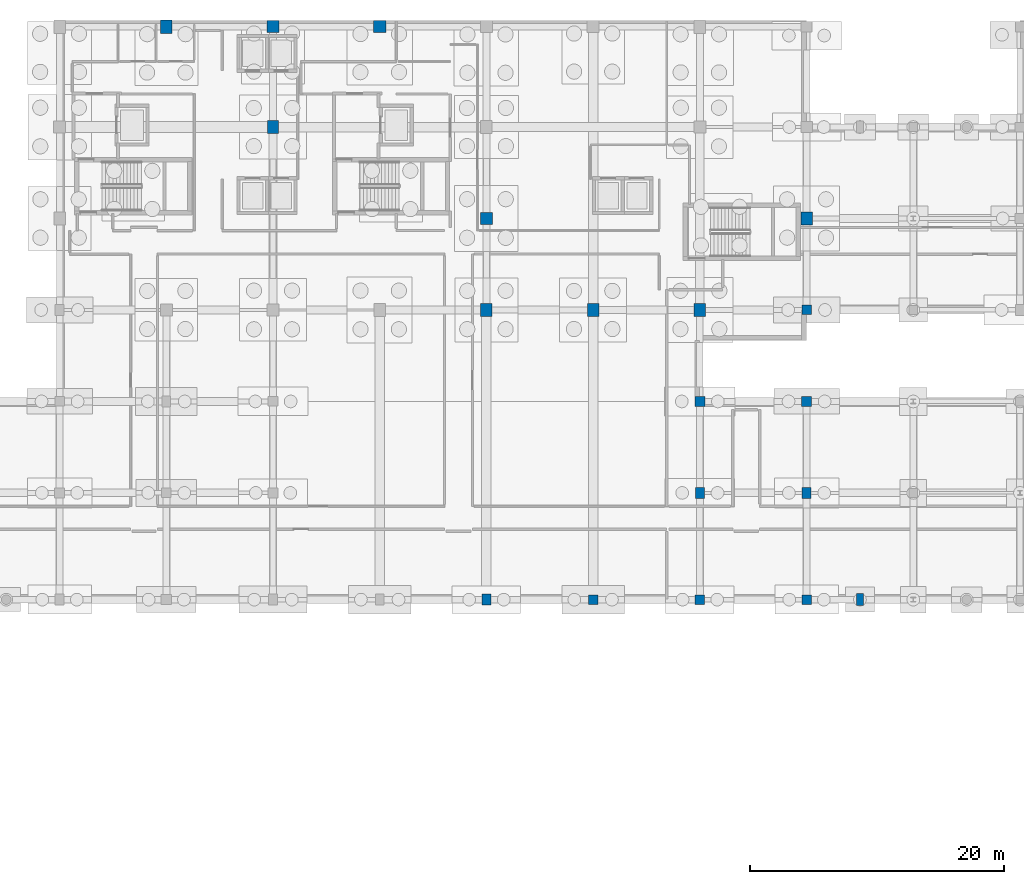
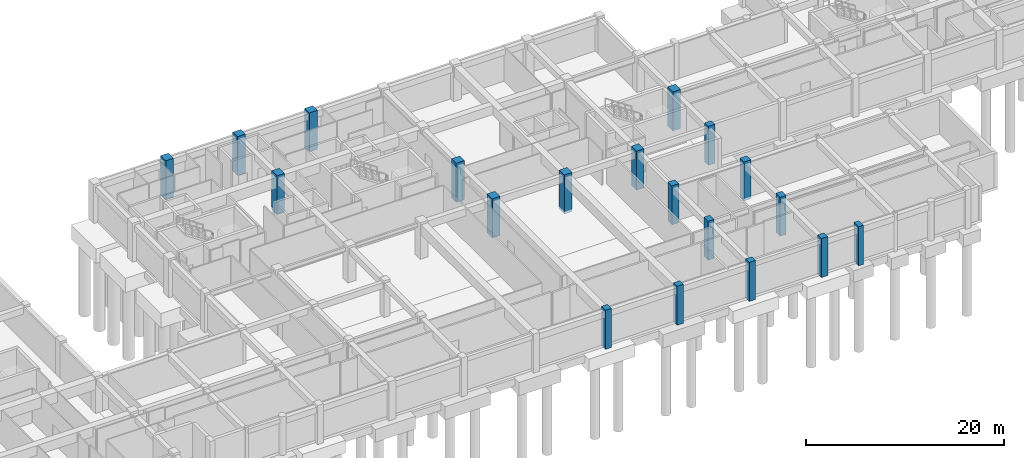
# One storey, part 15 of 42: 19 columns.
"""IFC4 building model written with IfcOpenShell, lengths in metres."""

from ifc_helpers import new_model, si_unit, direction, frame, origin, origin_2d, place, context, subcontext, project, spatial, rectangle, extrude, material, material_profile, profile_set, type_object, element, save


model = new_model("IFC4")

# Units and contexts
model_context = context("Model", 3, precision=1e-05, world=origin(), true_north=direction((0.0, 1.0)))
body_context = subcontext(model_context, "Body", "Model", "MODEL_VIEW")
ifc_project = project(units=[si_unit("LENGTHUNIT", "METRE"), si_unit("AREAUNIT", "SQUARE_METRE"), si_unit("VOLUMEUNIT", "CUBIC_METRE"), si_unit("PLANEANGLEUNIT", "RADIAN"), si_unit("MASSUNIT", "GRAM", prefix="KILO")], contexts=[model_context])

# Site, building, storey
site_placement = place(None, origin())
site = spatial("IfcSite", under=ifc_project, at=site_placement, CompositionType="ELEMENT")
building_placement = place(site_placement, origin())
building = spatial("IfcBuilding", under=site, at=building_placement, Name="Quendrovan Civic Courthouse", CompositionType="ELEMENT")
storey_placement = place(building_placement, frame((0.0, 0.0, -4.5)))
storey = spatial("IfcBuildingStorey", under=building, at=storey_placement, Name="B1", CompositionType="ELEMENT", Elevation=-4.5)

# Columns
ifc_material_1 = material(Name="Concrete C45/55", Category="concrete")
ifc_material_profile_1 = material_profile(ifc_material_1, rectangle(XDim=0.550048828125, YDim=0.949951171875, at=origin_2d()), Name="RC-PIER-550x950")
ifc_profile_set_1 = profile_set([ifc_material_profile_1], Name="Concrete C45/55")
column_type_1 = type_object("IfcColumnType", Name="COL-PIER950", PredefinedType="PILASTER", material=ifc_profile_set_1)
column_placement = place(storey_placement, frame((96.60009765625, 64.800048828125, -0.300048828125), z_axis=(0.0, 0.0, 1.0), x_axis=(1.0, 0.0, 0.0)))
element("IfcColumn", 1, at=column_placement, inside=storey, type_object=column_type_1, Name="B1 Column PIL-C3", PredefinedType="PILASTER", context=body_context, shape_type="SweptSolid", body=[
    extrude(rectangle(XDim=0.550048828125, YDim=0.949951171875, at=origin_2d()), origin(), (0.0, 0.0, 1.0), 4.800048828125),
])
ifc_material_2 = material(Name="Concrete C40/50", Category="concrete")
ifc_material_profile_2 = material_profile(ifc_material_2, rectangle(XDim=0.699951171875, YDim=0.85009765625, at=origin_2d()), Name="RC-COL-700x850")
ifc_profile_set_2 = profile_set([ifc_material_profile_2], Name="Concrete C40/50")
column_type_2 = type_object("IfcColumnType", Name="COL-RC-700x850", PredefinedType="COLUMN", material=ifc_profile_set_2)
for number, where, z_axis, x_axis, name in (
    (2, (67.199951171875, 64.800048828125, -0.300048828125), (0.0, 0.0, 1.0), (1.0, 0.0, 0.0), "B1 Column 9-J"),
    (3, (84.0, 73.199951171875, -0.300048828125), (0.0, 0.0, 1.0), (1.0, 0.0, 0.0), "B1 Column 11-K"),
    (4, (92.39990234375, 73.199951171875, -0.300048828125), (0.0, 0.0, 1.0), (1.0, 0.0, 0.0), "B1 Column 12-K"),
):
    element("IfcColumn", number, at=place(storey_placement, frame(where, z_axis=z_axis, x_axis=x_axis)), inside=storey, type_object=column_type_2, Name=name, PredefinedType="COLUMN", context=body_context, shape_type="SweptSolid", body=[
        extrude(rectangle(XDim=0.699951171875, YDim=0.85009765625, at=origin_2d()), origin(), (0.0, 0.0, 1.0), 4.800048828125),
    ])
ifc_material_profile_3 = material_profile(ifc_material_1, rectangle(XDim=0.89990234375, YDim=1.050048828125, at=origin_2d()), Name="RC-COL-900x1050")
ifc_profile_set_3 = profile_set([ifc_material_profile_3], Name="Concrete C45/55")
column_type_3 = type_object("IfcColumnType", Name="COL-RC-900x1050", PredefinedType="COLUMN", material=ifc_profile_set_3)
for number, where, z_axis, x_axis, name in (
    (5, (42.0, 109.89990234375, -0.300048828125), (0.0, 0.0, 1.0), (1.0, 0.0, 0.0), "B1 Column 6-Q"),
    (6, (50.39990234375, 102.0, -0.300048828125), (0.0, 0.0, 1.0), (1.0, 0.0, 0.0), "B1 Column 7-P"),
    (7, (67.199951171875, 87.60009765625, -0.300048828125), (0.0, 0.0, 1.0), (1.0, 0.0, 0.0), "B1 Column 9-M"),
    (8, (75.60009765625, 87.60009765625, -0.300048828125), (0.0, 0.0, 1.0), (1.0, 0.0, 0.0), "B1 Column 10-M"),
    (9, (84.0, 87.60009765625, -0.300048828125), (0.0, 0.0, 1.0), (1.0, 0.0, 0.0), "B1 Column 11-M"),
    (10, (92.39990234375, 94.800048828125, -0.300048828125), (0.0, 0.0, 1.0), (1.0, 0.0, 0.0), "B1 Column 12-N"),
):
    element("IfcColumn", number, at=place(storey_placement, frame(where, z_axis=z_axis, x_axis=x_axis)), inside=storey, type_object=column_type_3, Name=name, PredefinedType="COLUMN", context=body_context, shape_type="SweptSolid", body=[
        extrude(rectangle(XDim=0.89990234375, YDim=1.050048828125, at=origin_2d()), origin(), (0.0, 0.0, 1.0), 4.800048828125),
    ])
ifc_material_profile_4 = material_profile(ifc_material_1, rectangle(XDim=0.75, YDim=0.75, at=origin_2d()), Name="RC-COL-750x750")
ifc_profile_set_4 = profile_set([ifc_material_profile_4], Name="Concrete C45/55")
column_type_4 = type_object("IfcColumnType", Name="COL-RC750", PredefinedType="COLUMN", material=ifc_profile_set_4)
for number, where, z_axis, x_axis, name in (
    (11, (75.60009765625, 64.800048828125, -0.300048828125), (0.0, 0.0, 1.0), (1.0, 0.0, 0.0), "B1 Column 10-J"),
    (12, (84.0, 64.800048828125, -0.300048828125), (0.0, 0.0, 1.0), (1.0, 0.0, 0.0), "B1 Column 11-J"),
    (13, (92.39990234375, 64.800048828125, -0.300048828125), (0.0, 0.0, 1.0), (1.0, 0.0, 0.0), "B1 Column 12-J"),
    (14, (92.39990234375, 87.60009765625, -0.300048828125), (0.0, 0.0, 1.0), (1.0, 0.0, 0.0), "B1 Column 12-M"),
):
    element("IfcColumn", number, at=place(storey_placement, frame(where, z_axis=z_axis, x_axis=x_axis)), inside=storey, type_object=column_type_4, Name=name, PredefinedType="COLUMN", context=body_context, shape_type="SweptSolid", body=[
        extrude(rectangle(XDim=0.75, YDim=0.75, at=origin_2d()), origin(), (0.0, 0.0, 1.0), 4.800048828125),
    ])
ifc_material_profile_5 = material_profile(ifc_material_1, rectangle(XDim=0.800048828125, YDim=0.800048828125, at=origin_2d()), Name="RC-COL-800x800")
ifc_profile_set_5 = profile_set([ifc_material_profile_5], Name="Concrete C45/55")
column_type_5 = type_object("IfcColumnType", Name="COL-RC800", PredefinedType="COLUMN", material=ifc_profile_set_5)
for number, where, z_axis, x_axis, name in (
    (15, (84.0, 80.39990234375, -0.300048828125), (0.0, 0.0, 1.0), (1.0, 0.0, 0.0), "B1 Column 11-L"),
    (16, (92.39990234375, 80.39990234375, -0.300048828125), (0.0, 0.0, 1.0), (1.0, 0.0, 0.0), "B1 Column 12-L"),
):
    element("IfcColumn", number, at=place(storey_placement, frame(where, z_axis=z_axis, x_axis=x_axis)), inside=storey, type_object=column_type_5, Name=name, PredefinedType="COLUMN", context=body_context, shape_type="SweptSolid", body=[
        extrude(rectangle(XDim=0.800048828125, YDim=0.800048828125, at=origin_2d()), origin(), (0.0, 0.0, 1.0), 4.800048828125),
    ])
ifc_material_profile_6 = material_profile(ifc_material_1, rectangle(XDim=0.949951171875, YDim=0.949951171875, at=origin_2d()), Name="RC-COL-950x950")
ifc_profile_set_6 = profile_set([ifc_material_profile_6], Name="Concrete C45/55")
column_type_6 = type_object("IfcColumnType", Name="COL-RC950", PredefinedType="COLUMN", material=ifc_profile_set_6)
for number, where, z_axis, x_axis, name in (
    (17, (50.39990234375, 109.89990234375, -0.300048828125), (0.0, 0.0, 1.0), (1.0, 0.0, 0.0), "B1 Column 7-Q"),
    (18, (58.800048828125, 109.89990234375, -0.300048828125), (0.0, 0.0, 1.0), (1.0, 0.0, 0.0), "B1 Column 8-Q"),
    (19, (67.199951171875, 94.800048828125, -0.300048828125), (0.0, 0.0, 1.0), (1.0, 0.0, 0.0), "B1 Column 9-N"),
):
    element("IfcColumn", number, at=place(storey_placement, frame(where, z_axis=z_axis, x_axis=x_axis)), inside=storey, type_object=column_type_6, Name=name, PredefinedType="COLUMN", context=body_context, shape_type="SweptSolid", body=[
        extrude(rectangle(XDim=0.949951171875, YDim=0.949951171875, at=origin_2d()), origin(), (0.0, 0.0, 1.0), 4.800048828125),
    ])

save(model, "model.ifc")
